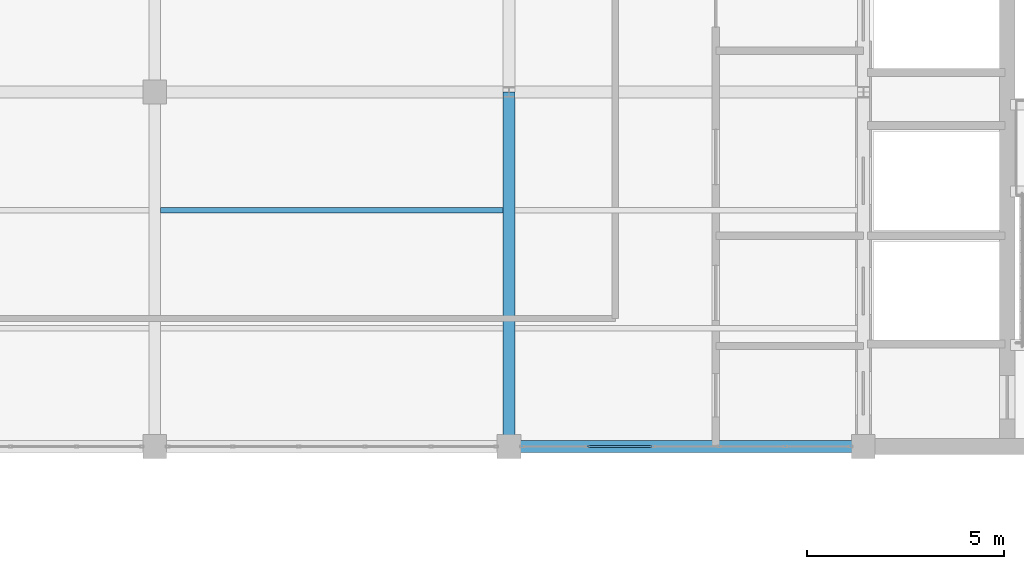
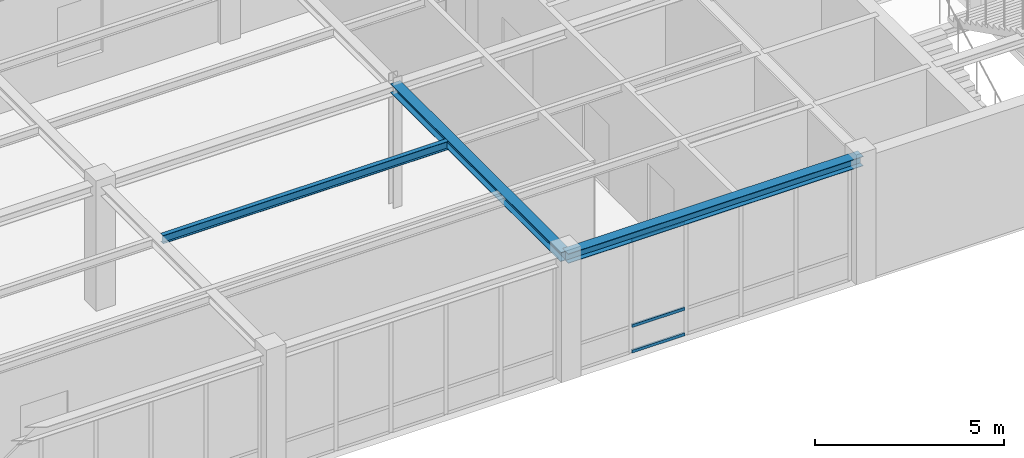
# One storey, part 94 of 130: 3 beams, 3 members, 1 element without a shape of its own.
"""IFC4 building model written with IfcOpenShell, lengths in metres."""

import ifcopenshell
import ifcopenshell.guid

model = None  # the IFC model being written
_history = None  # IfcOwnerHistory: only IFC2X3 demands one
_inside = {}  # id of a spatial element -> (the spatial element, [elements in it])
_under = {}  # id of a project, library or spatial element -> (it, [spatial elements below it])
_declared = {}  # id of a project -> (the project, [libraries it declares])
_typed = {}  # id of a type object -> (the type object, [elements of that type])
_made_of = {}  # id of a material, layer set ... -> (it, [elements and type objects made of it])


def new_model(schema):
    """Start an empty IFC model of exactly this schema.

    Asked for "IFC4X3", IfcOpenShell would pick the latest addendum, in which some entities
    have other attributes; the version numbers below select the first issue.
    IFC2X3 requires an IfcOwnerHistory on every rooted entity: one is made here for all.
    """
    global model, _history
    if schema == "IFC4X3":
        model = ifcopenshell.file(schema_version=(4, 3, 0, 0))
    else:
        model = ifcopenshell.file(schema=schema)
    _inside.clear()
    _under.clear()
    _declared.clear()
    _typed.clear()
    _made_of.clear()
    _history = None
    if model.schema == "IFC2X3":
        org = make("IfcOrganization", Name="unknown")
        user = make(
            "IfcPersonAndOrganization",
            ThePerson=make("IfcPerson", FamilyName="unknown"),
            TheOrganization=org,
        )
        app = make(
            "IfcApplication",
            ApplicationDeveloper=org,
            Version="unknown",
            ApplicationFullName="unknown",
            ApplicationIdentifier="unknown",
        )
        _history = make(
            "IfcOwnerHistory",
            OwningUser=user,
            OwningApplication=app,
            ChangeAction="ADDED",
            CreationDate=0,
        )
    return model


def make(cls, **values):
    """One entity of the class cls with the attributes given. An attribute that is None is left unset."""
    return model.create_entity(
        cls, **{name: value for name, value in values.items() if value is not None}
    )


def rooted(cls, **values):
    """An entity with a GlobalId (a new one), such as an element, a storey or a relation."""
    return make(cls, GlobalId=ifcopenshell.guid.new(), OwnerHistory=_history, **values)


def si_unit(unit_type, name, prefix=None):
    """IfcSIUnit, for example si_unit("LENGTHUNIT", "METRE", prefix="MILLI")."""
    return make("IfcSIUnit", UnitType=unit_type, Prefix=prefix, Name=name)


def assignment(units):
    """IfcUnitAssignment: the units of a project."""
    return None if units is None else make("IfcUnitAssignment", Units=units)


def point(xyz):
    """IfcCartesianPoint."""
    return None if xyz is None else make("IfcCartesianPoint", Coordinates=xyz)


def direction(xyz):
    """IfcDirection."""
    return None if xyz is None else make("IfcDirection", DirectionRatios=xyz)


def frame(location, z_axis=None, x_axis=None):
    """IfcAxis2Placement3D, a coordinate frame: its origin and axes. An axis left out is left unset."""
    return make(
        "IfcAxis2Placement3D",
        Location=point(location),
        Axis=direction(z_axis),
        RefDirection=direction(x_axis),
    )


def frame_2d(location, x_axis=None):
    """IfcAxis2Placement2D, a coordinate frame in the plane: its origin and x axis."""
    return make(
        "IfcAxis2Placement2D", Location=point(location), RefDirection=direction(x_axis)
    )


def origin():
    """The frame at (0, 0, 0) with its axes left unset."""
    return frame((0.0, 0.0, 0.0))


def origin_2d():
    """The frame at (0, 0) in the plane with its x axis left unset."""
    return frame_2d((0.0, 0.0))


def place(relative_to, where):
    """IfcLocalPlacement: puts the frame where relative to a parent placement (None: the world)."""
    return make(
        "IfcLocalPlacement", PlacementRelTo=relative_to, RelativePlacement=where
    )


def context(
    kind, dimensions, precision=None, world=None, true_north=None, identifier=None
):
    """IfcGeometricRepresentationContext, for example the 3D "Model" context."""
    return make(
        "IfcGeometricRepresentationContext",
        ContextIdentifier=identifier,
        ContextType=kind,
        CoordinateSpaceDimension=dimensions,
        Precision=precision,
        WorldCoordinateSystem=world,
        TrueNorth=true_north,
    )


def subcontext(parent, identifier, kind, view, scale=None):
    """IfcGeometricRepresentationSubContext, for example "Body" below "Model"."""
    return make(
        "IfcGeometricRepresentationSubContext",
        ContextIdentifier=identifier,
        ContextType=kind,
        ParentContext=parent,
        TargetScale=scale,
        TargetView=view,
    )


def project(units=None, contexts=None):
    """IfcProject with its units and contexts."""
    return rooted(
        "IfcProject",
        Name="project",
        RepresentationContexts=contexts,
        UnitsInContext=assignment(units),
    )


def spatial(cls, under=None, at=None, **own):
    """A site, building, storey or space (cls), placed at a placement, below another one or the project."""
    s = rooted(cls, ObjectPlacement=at, **own)
    if under is not None:
        _under.setdefault(under.id(), (under, []))[1].append(s)
    return s


def profile(cls, at=None, kind="AREA", **sizes):
    """A parametric profile (cls). Its sizes go by their IFC names, for example OverallWidth=200.0."""
    return make(cls, ProfileType=kind, Position=at, **sizes)


def hollow_rectangle(**sizes):
    """IfcRectangleHollowProfileDef."""
    return profile("IfcRectangleHollowProfileDef", **sizes)


def i_section(**sizes):
    """IfcIShapeProfileDef."""
    return profile("IfcIShapeProfileDef", **sizes)


def extrude(swept, where, along, depth):
    """IfcExtrudedAreaSolid: the profile swept, set in the frame where, extruded along a direction by depth."""
    return make(
        "IfcExtrudedAreaSolid",
        SweptArea=swept,
        Position=where,
        ExtrudedDirection=direction(along),
        Depth=depth,
    )


def shape(context_of_items, identifier, shape_type, items):
    """IfcShapeRepresentation: the items that make up one representation, for example the "Body"."""
    return make(
        "IfcShapeRepresentation",
        ContextOfItems=context_of_items,
        RepresentationIdentifier=identifier,
        RepresentationType=shape_type,
        Items=items,
    )


def material(Name=None, Category=None):
    """IfcMaterial."""
    return make("IfcMaterial", Name=Name, Category=Category)


def material_profile(
    of_material, cross_section, Name=None, Category=None, Priority=None
):
    """IfcMaterialProfile: a cross section and its material."""
    return make(
        "IfcMaterialProfile",
        Name=Name,
        Material=of_material,
        Profile=cross_section,
        Priority=Priority,
        Category=Category,
    )


def profile_set(profiles, Name=None, composite=None):
    """IfcMaterialProfileSet."""
    return make(
        "IfcMaterialProfileSet",
        Name=Name,
        MaterialProfiles=profiles,
        CompositeProfile=composite,
    )


def made_of(thing, what):
    """Note that an element or type object is made of a material, layer set ...; save() writes the relation."""
    if what is not None:
        _made_of.setdefault(what.id(), (what, []))[1].append(thing)
    return thing


def type_object(cls, material=None, **own):
    """A type object (cls), such as IfcWallType, which elements share."""
    return made_of(rooted(cls, **own), material)


def element(
    cls,
    number,
    at=None,
    inside=None,
    cuts=None,
    type_object=None,
    material=None,
    context=None,
    identifier="Body",
    shape_type=None,
    held_by="IfcProductDefinitionShape",
    body=None,
    shapes=None,
    **own,
):
    """One element of the class cls, such as IfcWall. Its Tag is "e" and its number.

    at: its placement. inside: the storey or other place that contains it. cuts: it is an
    opening in that element (IfcRelVoidsElement). A single representation is given by context,
    identifier, shape_type and body (its items); several are given by shapes. held_by: the class
    of the entity that holds the representations. save() writes the other relations.
    """
    e = rooted(cls, Tag="e%d" % number, ObjectPlacement=at, **own)
    if body is not None:
        shapes = [shape(context, identifier, shape_type, body)]
    if shapes is not None:
        e.Representation = make(held_by, Representations=shapes)
    if inside is not None:
        _inside.setdefault(inside.id(), (inside, []))[1].append(e)
    if cuts is not None:
        rooted(
            "IfcRelVoidsElement", RelatingBuildingElement=cuts, RelatedOpeningElement=e
        )
    if type_object is not None:
        _typed.setdefault(type_object.id(), (type_object, []))[1].append(e)
    return made_of(e, material)


def aggregate(whole, parts):
    """IfcRelAggregates: a whole, such as a stair, and the parts it consists of."""
    return rooted("IfcRelAggregates", RelatingObject=whole, RelatedObjects=parts)


def save(model, path):
    """Write the relations noted so far, then the file.

    IfcRelAggregates (storeys below a building ...), IfcRelContainedInSpatialStructure (elements
    in a storey), IfcRelDefinesByType, IfcRelAssociatesMaterial and IfcRelDeclares: one each for
    every whole, place, type object, material and project.
    """
    for whole, parts in _under.values():
        aggregate(whole, parts)
    for where, things in _inside.values():
        rooted(
            "IfcRelContainedInSpatialStructure",
            RelatedElements=things,
            RelatingStructure=where,
        )
    for kind, things in _typed.values():
        rooted("IfcRelDefinesByType", RelatedObjects=things, RelatingType=kind)
    for what, things in _made_of.values():
        rooted("IfcRelAssociatesMaterial", RelatedObjects=things, RelatingMaterial=what)
    for by, libraries in _declared.values():
        rooted("IfcRelDeclares", RelatingContext=by, RelatedDefinitions=libraries)
    model.write(path)


model = new_model("IFC4")

# Units and contexts
model_context = context("Model", 3, precision=1e-05, world=origin(), true_north=direction((0.0, 1.0)))
body_context = subcontext(model_context, "Body", "Model", "MODEL_VIEW")
ifc_project = project(units=[si_unit("LENGTHUNIT", "METRE"), si_unit("AREAUNIT", "SQUARE_METRE"), si_unit("VOLUMEUNIT", "CUBIC_METRE"), si_unit("PLANEANGLEUNIT", "RADIAN"), si_unit("MASSUNIT", "GRAM", prefix="KILO")], contexts=[model_context])

# Site, building, storey
site_placement = place(None, origin())
site = spatial("IfcSite", under=ifc_project, at=site_placement, CompositionType="ELEMENT")
building_placement = place(site_placement, origin())
building = spatial("IfcBuilding", under=site, at=building_placement, Name="Lykobir Media Centre", CompositionType="ELEMENT")
storey_placement = place(building_placement, frame((0.0, 0.0, 19.199951171875)))
storey = spatial("IfcBuildingStorey", under=building, at=storey_placement, Name="L04", CompositionType="ELEMENT", Elevation=19.199951171875)

# Beam
ifc_material_1 = material(Name="Steel S355", Category="steel")
ifc_material_profile_1 = material_profile(ifc_material_1, i_section(OverallWidth=0.300048828125, OverallDepth=0.2900390625, WebThickness=0.008544921875, FlangeThickness=0.013916015625, at=origin_2d()), Name="HEA 300")
ifc_profile_set_1 = profile_set([ifc_material_profile_1], Name="Steel S355")
beam_type_1 = type_object("IfcBeamType", Name="BM-HEA300", PredefinedType="BEAM", material=ifc_profile_set_1)
beam_1_placement = place(storey_placement, frame((117.0, 72.0, 3.81494140625), z_axis=(0.0, 1.0, 0.0), x_axis=(-1.0, 0.0, 0.0)))
element("IfcBeam", 1, at=beam_1_placement, inside=storey, type_object=beam_type_1, Name="Beam BM-L04-1170-0720-1170-0810-2302", PredefinedType="BEAM", context=body_context, shape_type="SweptSolid", body=[
    extrude(i_section(OverallWidth=0.300048828125, OverallDepth=0.2900390625, WebThickness=0.008544921875, FlangeThickness=0.013916015625, at=origin_2d()), origin(), (0.0, 0.0, 1.0), 9.0),
])

# Curtain wall, members
ifc_material_2 = material(Name="Anodized Aluminium AW-6060", Category="aluminium")
curtain_wall_type = type_object("IfcCurtainWallType", Name="CW-COURT-B", PredefinedType="NOTDEFINED", material=ifc_material_2)
curtain_wall_placement = place(storey_placement, origin())
curtain_wall = element("IfcCurtainWall", 2, at=curtain_wall_placement, inside=storey, type_object=curtain_wall_type, Name="Curtain wall CW2-L04-0180", PredefinedType="NOTDEFINED")
ifc_material_profile_2 = material_profile(ifc_material_2, hollow_rectangle(XDim=0.054931640625, YDim=0.094970703125, WallThickness=0.0029296875, at=origin_2d()), Name="ALU TRANSOM 55x95")
ifc_profile_set_2 = profile_set([ifc_material_profile_2], Name="Anodized Aluminium AW-6060")
member_type = type_object("IfcMemberType", Name="CWT-095", PredefinedType="USERDEFINED", material=ifc_profile_set_2)
member_1_placement = place(storey_placement, frame((120.633544921875, 72.0, 0.027587890625), z_axis=(-1.0, 0.0, 0.0), x_axis=(0.0, -1.0, 0.0)))
member_1 = element("IfcMember", 3, at=member_1_placement, type_object=member_type, Name="CW2-L04-0180 transom 4.1", ObjectType="TRANSOM", PredefinedType="USERDEFINED", context=body_context, shape_type="SweptSolid", body=[
    extrude(hollow_rectangle(XDim=0.054931640625, YDim=0.094970703125, WallThickness=0.0029296875, at=origin_2d()), origin(), (0.0, 0.0, 1.0), 1.623046875),
])
member_2_placement = place(storey_placement, frame((120.633544921875, 72.0, 0.85009765625), z_axis=(-1.0, 0.0, 0.0), x_axis=(0.0, -1.0, 0.0)))
member_2 = element("IfcMember", 4, at=member_2_placement, type_object=member_type, Name="CW2-L04-0180 transom 4.2", ObjectType="TRANSOM", PredefinedType="USERDEFINED", context=body_context, shape_type="SweptSolid", body=[
    extrude(hollow_rectangle(XDim=0.054931640625, YDim=0.094970703125, WallThickness=0.0029296875, at=origin_2d()), origin(), (0.0, 0.0, 1.0), 1.623046875),
])
member_3_placement = place(storey_placement, frame((120.633544921875, 72.0, 3.607666015625), z_axis=(-1.0, 0.0, 0.0), x_axis=(0.0, -1.0, 0.0)))
member_3 = element("IfcMember", 5, at=member_3_placement, type_object=member_type, Name="CW2-L04-0180 transom 4.3", ObjectType="TRANSOM", PredefinedType="USERDEFINED", context=body_context, shape_type="SweptSolid", body=[
    extrude(hollow_rectangle(XDim=0.054931640625, YDim=0.094970703125, WallThickness=0.0029296875, at=origin_2d()), origin(), (0.0, 0.0, 1.0), 1.623046875),
])
aggregate(curtain_wall, [member_1, member_2, member_3])

# Beams
ifc_material_profile_3 = material_profile(ifc_material_1, i_section(OverallWidth=0.135009765625, OverallDepth=0.27001953125, WebThickness=0.006591796875, FlangeThickness=0.01025390625, at=origin_2d()), Name="IPE 270")
ifc_profile_set_3 = profile_set([ifc_material_profile_3], Name="Steel S355")
beam_type_2 = type_object("IfcBeamType", Name="JS-IPE270", PredefinedType="JOIST", material=ifc_profile_set_3)
beam_2_placement = place(storey_placement, frame((108.14990234375, 78.0, 3.824951171875), z_axis=(1.0, 0.0, 0.0), x_axis=(0.0, 1.0, 0.0)))
element("IfcBeam", 6, at=beam_2_placement, inside=storey, type_object=beam_type_2, Name="Beam BM-L04-1082-0780-1168-0780-2302", PredefinedType="JOIST", context=body_context, shape_type="SweptSolid", body=[
    extrude(i_section(OverallWidth=0.135009765625, OverallDepth=0.27001953125, WebThickness=0.006591796875, FlangeThickness=0.01025390625, at=origin_2d()), origin(), (0.0, 0.0, 1.0), 8.7001953125),
])
ifc_material_profile_4 = material_profile(ifc_material_1, i_section(OverallWidth=0.300048828125, OverallDepth=0.31005859375, WebThickness=0.009033203125, FlangeThickness=0.015380859375, at=origin_2d()), Name="HEA 320")
ifc_profile_set_4 = profile_set([ifc_material_profile_4], Name="Steel S355")
beam_type_3 = type_object("IfcBeamType", Name="SP-HEA320", PredefinedType="SPANDREL", material=ifc_profile_set_4)
beam_3_placement = place(storey_placement, frame((117.0, 72.0, 3.804931640625), z_axis=(1.0, 0.0, 0.0), x_axis=(0.0, 1.0, 0.0)))
element("IfcBeam", 7, at=beam_3_placement, inside=storey, type_object=beam_type_3, Name="Beam BM-L04-1170-0720-1260-0720-2300", PredefinedType="SPANDREL", context=body_context, shape_type="SweptSolid", body=[
    extrude(i_section(OverallWidth=0.300048828125, OverallDepth=0.31005859375, WebThickness=0.009033203125, FlangeThickness=0.015380859375, at=origin_2d()), origin(), (0.0, 0.0, 1.0), 9.0),
])

save(model, "model.ifc")
